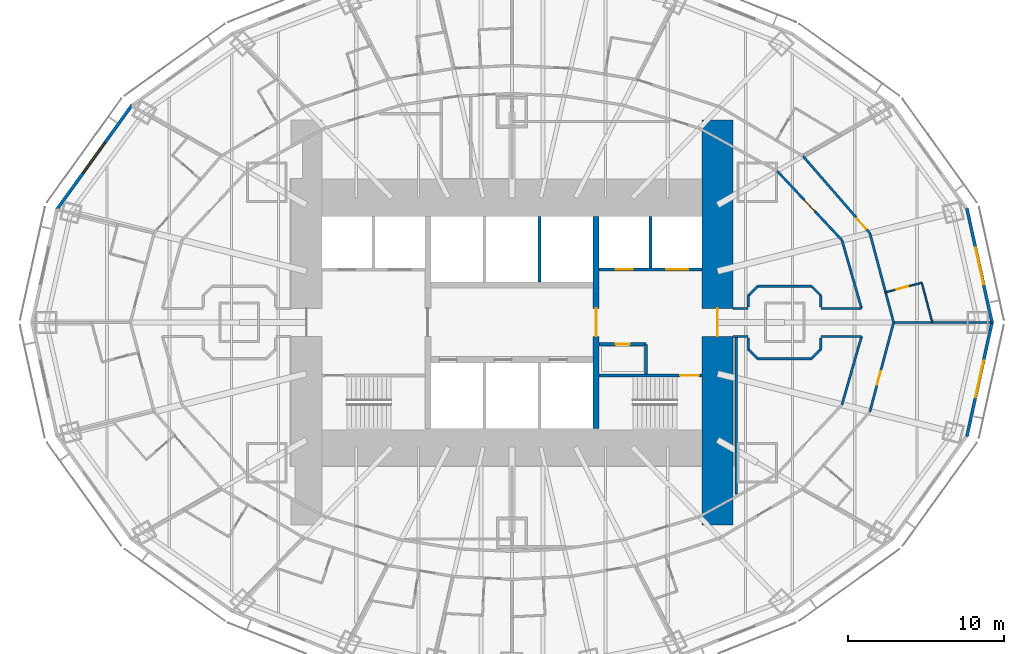
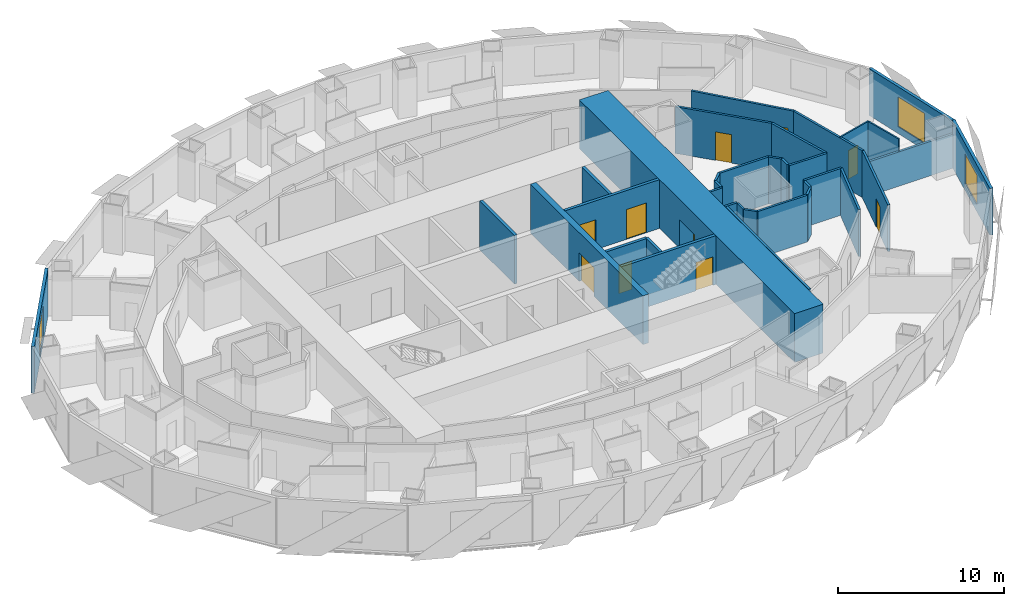
# One storey, part 8 of 15: 35 walls, 10 doors, 3 windows, 13 openings.
"""IFC4 building model written with IfcOpenShell, lengths in metres."""

from ifc_helpers import new_model, si_unit, direction, frame, frame_2d, origin, place, context, subcontext, project, spatial, rectangle, extrude, material, layer, layer_set, type_object, element, fill, save


model = new_model("IFC4")

# Units and contexts
model_context = context("Model", 3, precision=1e-05, world=origin(), true_north=direction((0.0, 1.0)))
body_context = subcontext(model_context, "Body", "Model", "MODEL_VIEW")
ifc_project = project(units=[si_unit("LENGTHUNIT", "METRE"), si_unit("AREAUNIT", "SQUARE_METRE"), si_unit("VOLUMEUNIT", "CUBIC_METRE"), si_unit("PLANEANGLEUNIT", "RADIAN"), si_unit("MASSUNIT", "GRAM", prefix="KILO")], contexts=[model_context])

# Site, building, storey
site_placement = place(None, origin())
site = spatial("IfcSite", under=ifc_project, at=site_placement, CompositionType="ELEMENT")
building_placement = place(site_placement, origin())
building = spatial("IfcBuilding", under=site, at=building_placement, Name="Lantaw Convention Tower", CompositionType="ELEMENT")
storey_placement = place(building_placement, frame((0.0, 0.0, 58.60009765625)))
storey = spatial("IfcBuildingStorey", under=building, at=storey_placement, Name="L12", CompositionType="ELEMENT", Elevation=58.60009765625)

# Wall
ifc_material_1 = material(Name="Gypsum board on steel studs", Category="steel")
ifc_layer_1 = layer(ifc_material_1, 0.14990234375)
ifc_layer_set_1 = layer_set([ifc_layer_1], Name="Back of house wall 150")
wall_type_1 = type_object("IfcWallType", Name="Back of house wall 150", PredefinedType="PARTITIONING", material=ifc_layer_set_1)
wall_1_placement = place(storey_placement, frame((14.39990234375, -11.01708984375, 0.0), z_axis=(0.0, 0.0, 1.0), x_axis=(0.0, 1.0, 0.0)))
element("IfcWall", 1, at=wall_1_placement, inside=storey, type_object=wall_type_1, Name="Back of house wall 150", PredefinedType="PARTITIONING", context=body_context, shape_type="SweptSolid", body=[
    extrude(rectangle(XDim=10.1171875, YDim=0.14990234375, at=frame_2d((5.05859375, 0.0))), origin(), (0.0, 0.0, 1.0), 3.449951171875),
])

# Wall, opening, door
ifc_material_2 = material(Name="Moisture resistant gypsum board on steel studs", Category="steel")
ifc_layer_2 = layer(ifc_material_2, 0.10009765625)
ifc_layer_set_2 = layer_set([ifc_layer_2], Name="Bathroom wall 100")
wall_type_2 = type_object("IfcWallType", Name="Bathroom wall 100", PredefinedType="PARTITIONING", material=ifc_layer_set_2)
wall_2_placement = place(storey_placement, frame((23.98583984375, 1.932861328125, 0.0), z_axis=(0.0, 0.0, 1.0), x_axis=(0.96639514992, 0.257061109879, 0.0)))
wall_2 = element("IfcWall", 2, at=wall_2_placement, inside=storey, type_object=wall_type_2, Name="Bathroom wall 100", PredefinedType="PARTITIONING", context=body_context, shape_type="SweptSolid", body=[
    extrude(rectangle(XDim=2.39990234375, YDim=0.10009765625, at=frame_2d((1.199951171875, 0.0))), origin(), (0.0, 0.0, 1.0), 3.449951171875),
])
opening_1_placement = place(wall_2_placement, frame((0.699951171875, 0.0, 0.0)))
opening_1 = element("IfcOpeningElement", 3, at=opening_1_placement, cuts=wall_2, Name="Opening L12.25", PredefinedType="OPENING", context=body_context, shape_type="SweptSolid", body=[
    extrude(rectangle(XDim=0.800048828125, YDim=2.10009765625, at=frame_2d((0.39990234375, 1.050048828125))), frame((0.0, 0.06005859375, 0.0), z_axis=(0.0, -1.0, 0.0), x_axis=(1.0, 0.0, 0.0)), (0.0, 0.0, 1.0), 0.1201171875),
])
ifc_material_3 = material(Name="Timber", Category="wood")
door_type_1 = type_object("IfcDoorType", Name="Bathroom door 800", OperationType="SINGLE_SWING_LEFT", PredefinedType="DOOR", material=ifc_material_3)
door_1_placement = place(opening_1_placement, origin())
door_1 = element("IfcDoor", 4, at=door_1_placement, inside=storey, type_object=door_type_1, Name="Bathroom door", OperationType="SINGLE_SWING_LEFT", OverallHeight=2.10009765625, OverallWidth=0.800048828125, PredefinedType="DOOR", context=body_context, shape_type="SweptSolid", body=[
    extrude(rectangle(XDim=0.800048828125, YDim=2.10009765625, at=frame_2d((0.39990234375, 1.050048828125))), frame((0.0, 0.02490234375, 0.0), z_axis=(0.0, -1.0, 0.0), x_axis=(1.0, 0.0, 0.0)), (0.0, 0.0, 1.0), 0.050048828125),
])
fill(opening_1, door_1)

# Wall
wall_3_placement = place(storey_placement, frame((26.30517578125, 2.5498046875, 0.0), z_axis=(0.0, 0.0, 1.0), x_axis=(0.257052122515, -0.966397540513, 0.0)))
element("IfcWall", 5, at=wall_3_placement, inside=storey, type_object=wall_type_2, Name="Bathroom wall 100", PredefinedType="PARTITIONING", context=body_context, shape_type="SweptSolid", body=[
    extrude(rectangle(XDim=2.638427734375, YDim=0.10009765625, at=frame_2d((1.3193359375, 0.0))), origin(), (0.0, 0.0, 1.0), 3.449951171875),
])

# Wall, opening, door
ifc_material_4 = material(Name="Concrete C60/75", Category="concrete")
ifc_layer_3 = layer(ifc_material_4, 0.199951171875)
ifc_layer_set_3 = layer_set([ifc_layer_3], Name="Core wall 200")
wall_type_3 = type_object("IfcWallType", Name="Core wall 200", PredefinedType="SHEAR", material=ifc_layer_set_3)
wall_4_placement = place(storey_placement, frame((5.60009765625, -3.39990234375, 0.0), z_axis=(0.0, 0.0, 1.0), x_axis=(1.0, 0.0, 0.0)))
wall_4 = element("IfcWall", 6, at=wall_4_placement, inside=storey, type_object=wall_type_3, Name="Core wall ES", PredefinedType="SHEAR", context=body_context, shape_type="SweptSolid", body=[
    extrude(rectangle(XDim=6.599853515625, YDim=0.199951171875, at=frame_2d((3.2998046875, 0.0))), origin(), (0.0, 0.0, 1.0), 3.599853515625),
])
opening_2_placement = place(wall_4_placement, frame((5.199951171875, 0.0, 0.0)))
opening_2 = element("IfcOpeningElement", 7, at=opening_2_placement, cuts=wall_4, Name="Opening L12.04", PredefinedType="OPENING", context=body_context, shape_type="SweptSolid", body=[
    extrude(rectangle(XDim=1.199951171875, YDim=2.10009765625, at=frame_2d((0.60009765625, 1.050048828125))), frame((0.0, 0.10986328125, 0.0), z_axis=(0.0, -1.0, 0.0), x_axis=(1.0, 0.0, 0.0)), (0.0, 0.0, 1.0), 0.219970703125),
])
ifc_material_5 = material(Name="Steel, fire rated", Category="steel")
door_type_2 = type_object("IfcDoorType", Name="Stair door FD90", OperationType="SINGLE_SWING_RIGHT", PredefinedType="DOOR", material=ifc_material_5)
door_2_placement = place(opening_2_placement, origin())
door_2 = element("IfcDoor", 8, at=door_2_placement, inside=storey, type_object=door_type_2, Name="Exit stair door", OperationType="SINGLE_SWING_RIGHT", OverallHeight=2.10009765625, OverallWidth=1.199951171875, PredefinedType="DOOR", context=body_context, shape_type="SweptSolid", body=[
    extrude(rectangle(XDim=1.199951171875, YDim=2.10009765625, at=frame_2d((0.60009765625, 1.050048828125))), frame((0.0, 0.02490234375, 0.0), z_axis=(0.0, -1.0, 0.0), x_axis=(1.0, 0.0, 0.0)), (0.0, 0.0, 1.0), 0.050048828125),
])
fill(opening_2, door_2)

ifc_layer_4 = layer(ifc_material_4, 2.0)
ifc_layer_set_4 = layer_set([ifc_layer_4], Name="Core wall 2000")
wall_type_4 = type_object("IfcWallType", Name="Core wall 2000", PredefinedType="SHEAR", material=ifc_layer_set_4)
wall_5_placement = place(storey_placement, frame((13.199951171875, -13.0, 0.0), z_axis=(0.0, 0.0, 1.0), x_axis=(0.0, 1.0, 0.0)))
wall_5 = element("IfcWall", 9, at=wall_5_placement, inside=storey, type_object=wall_type_4, Name="Core wall E", PredefinedType="SHEAR", context=body_context, shape_type="SweptSolid", body=[
    extrude(rectangle(XDim=26.0, YDim=2.0, at=frame_2d((13.0, 0.0))), origin(), (0.0, 0.0, 1.0), 3.599853515625),
])
opening_3_placement = place(wall_5_placement, frame((12.10009765625, 0.0, 0.0)))
opening_3 = element("IfcOpeningElement", 10, at=opening_3_placement, cuts=wall_5, Name="Opening L12.06", PredefinedType="OPENING", context=body_context, shape_type="SweptSolid", body=[
    extrude(rectangle(XDim=1.800048828125, YDim=2.10009765625, at=frame_2d((0.89990234375, 1.050048828125))), frame((0.0, 1.010009765625, 0.0), z_axis=(0.0, -1.0, 0.0), x_axis=(1.0, 0.0, 0.0)), (0.0, 0.0, 1.0), 2.02001953125),
])
door_type_3 = type_object("IfcDoorType", Name="Lobby double door FD90", OperationType="DOUBLE_DOOR_DOUBLE_SWING", PredefinedType="DOOR", material=ifc_material_5)
door_3_placement = place(opening_3_placement, origin())
door_3 = element("IfcDoor", 11, at=door_3_placement, inside=storey, type_object=door_type_3, Name="Firefighting lobby door", OperationType="DOUBLE_DOOR_DOUBLE_SWING", OverallHeight=2.10009765625, OverallWidth=1.800048828125, PredefinedType="DOOR", context=body_context, shape_type="SweptSolid", body=[
    extrude(rectangle(XDim=1.800048828125, YDim=2.10009765625, at=frame_2d((0.89990234375, 1.050048828125))), frame((0.0, 0.02490234375, 0.0), z_axis=(0.0, -1.0, 0.0), x_axis=(1.0, 0.0, 0.0)), (0.0, 0.0, 1.0), 0.050048828125),
])
fill(opening_3, door_3)

ifc_layer_5 = layer(ifc_material_4, 0.39990234375)
ifc_layer_set_5 = layer_set([ifc_layer_5], Name="Core wall 400")
wall_type_5 = type_object("IfcWallType", Name="Core wall 400", PredefinedType="SHEAR", material=ifc_layer_set_5)
wall_6_placement = place(storey_placement, frame((5.39990234375, -6.800048828125, 0.0), z_axis=(0.0, 0.0, 1.0), x_axis=(0.0, 1.0, 0.0)))
wall_6 = element("IfcWall", 12, at=wall_6_placement, inside=storey, type_object=wall_type_5, Name="Core wall XE", PredefinedType="SHEAR", context=body_context, shape_type="SweptSolid", body=[
    extrude(rectangle(XDim=13.60009765625, YDim=0.39990234375, at=frame_2d((6.800048828125, 0.0))), origin(), (0.0, 0.0, 1.0), 3.599853515625),
])
opening_4_placement = place(wall_6_placement, frame((5.89990234375, 0.0, 0.0)))
opening_4 = element("IfcOpeningElement", 13, at=opening_4_placement, cuts=wall_6, Name="Opening L12.02", PredefinedType="OPENING", context=body_context, shape_type="SweptSolid", body=[
    extrude(rectangle(XDim=1.800048828125, YDim=2.10009765625, at=frame_2d((0.89990234375, 1.050048828125))), frame((0.0, 0.2099609375, 0.0), z_axis=(0.0, -1.0, 0.0), x_axis=(1.0, 0.0, 0.0)), (0.0, 0.0, 1.0), 0.419921875),
])
door_4_placement = place(opening_4_placement, origin())
door_4 = element("IfcDoor", 14, at=door_4_placement, inside=storey, type_object=door_type_3, Name="Lift lobby door", OperationType="DOUBLE_DOOR_DOUBLE_SWING", OverallHeight=2.10009765625, OverallWidth=1.800048828125, PredefinedType="DOOR", context=body_context, shape_type="SweptSolid", body=[
    extrude(rectangle(XDim=1.800048828125, YDim=2.10009765625, at=frame_2d((0.89990234375, 1.050048828125))), frame((0.0, 0.02490234375, 0.0), z_axis=(0.0, -1.0, 0.0), x_axis=(1.0, 0.0, 0.0)), (0.0, 0.0, 1.0), 0.050048828125),
])
fill(opening_4, door_4)

# Wall
ifc_material_6 = material(Name="Gypsum board on steel studs, fire rated", Category="steel")
ifc_layer_6 = layer(ifc_material_6, 0.14990234375)
ifc_layer_set_6 = layer_set([ifc_layer_6], Name="Corridor wall 150 EI 60")
wall_type_6 = type_object("IfcWallType", Name="Corridor wall 150 EI 60", PredefinedType="PARTITIONING", material=ifc_layer_set_6)
wall_7_placement = place(storey_placement, frame((24.5, 0.0, 0.0), z_axis=(0.0, 0.0, 1.0), x_axis=(-0.257083265334, 0.966389256296, 0.0)))
element("IfcWall", 15, at=wall_7_placement, inside=storey, type_object=wall_type_6, Name="Corridor wall 150", PredefinedType="PARTITIONING", context=body_context, shape_type="SweptSolid", body=[
    extrude(rectangle(XDim=5.927734375, YDim=0.14990234375, at=frame_2d((2.9638671875, 0.0))), origin(), (0.0, 0.0, 1.0), 3.449951171875),
])

# Wall, opening, door
wall_8_placement = place(storey_placement, frame((22.97607421875, 5.728515625, 0.0), z_axis=(0.0, 0.0, 1.0), x_axis=(-0.655599989166, 0.755108372491, 0.0)))
wall_8 = element("IfcWall", 16, at=wall_8_placement, inside=storey, type_object=wall_type_6, Name="Corridor wall 150", PredefinedType="PARTITIONING", context=body_context, shape_type="SweptSolid", body=[
    extrude(rectangle(XDim=6.55078125, YDim=0.14990234375, at=frame_2d((3.275390625, 0.0))), origin(), (0.0, 0.0, 1.0), 3.449951171875),
])
opening_5_placement = place(wall_8_placement, frame((0.355712890625, 0.0, 0.0)))
opening_5 = element("IfcOpeningElement", 17, at=opening_5_placement, cuts=wall_8, Name="Opening L12.26", PredefinedType="OPENING", context=body_context, shape_type="SweptSolid", body=[
    extrude(rectangle(XDim=0.89990234375, YDim=2.10009765625, at=frame_2d((0.449951171875, 1.050048828125))), frame((0.0, 0.0849609375, 0.0), z_axis=(0.0, -1.0, 0.0), x_axis=(1.0, 0.0, 0.0)), (0.0, 0.0, 1.0), 0.169921875),
])
door_type_4 = type_object("IfcDoorType", Name="Guest room entrance door FD30S", OperationType="SINGLE_SWING_LEFT", PredefinedType="DOOR", material=ifc_material_5)
door_5_placement = place(opening_5_placement, origin())
door_5 = element("IfcDoor", 18, at=door_5_placement, inside=storey, type_object=door_type_4, Name="Junior suite entrance door", OperationType="SINGLE_SWING_LEFT", OverallHeight=2.10009765625, OverallWidth=0.89990234375, PredefinedType="DOOR", context=body_context, shape_type="SweptSolid", body=[
    extrude(rectangle(XDim=0.89990234375, YDim=2.10009765625, at=frame_2d((0.449951171875, 1.050048828125))), frame((0.0, 0.02490234375, 0.0), z_axis=(0.0, -1.0, 0.0), x_axis=(1.0, 0.0, 0.0)), (0.0, 0.0, 1.0), 0.050048828125),
])
fill(opening_5, door_5)

wall_9_placement = place(storey_placement, frame((22.97607421875, -5.728515625, 0.0), z_axis=(0.0, 0.0, 1.0), x_axis=(0.257083265334, 0.966389256296, 0.0)))
wall_9 = element("IfcWall", 19, at=wall_9_placement, inside=storey, type_object=wall_type_6, Name="Corridor wall 150", PredefinedType="PARTITIONING", context=body_context, shape_type="SweptSolid", body=[
    extrude(rectangle(XDim=5.927734375, YDim=0.14990234375, at=frame_2d((2.9638671875, 0.0))), origin(), (0.0, 0.0, 1.0), 3.449951171875),
])
opening_6_placement = place(wall_9_placement, frame((1.79443359375, 0.0, 0.0)))
opening_6 = element("IfcOpeningElement", 20, at=opening_6_placement, cuts=wall_9, Name="Opening L12.60", PredefinedType="OPENING", context=body_context, shape_type="SweptSolid", body=[
    extrude(rectangle(XDim=0.89990234375, YDim=2.10009765625, at=frame_2d((0.449951171875, 1.050048828125))), frame((0.0, 0.0849609375, 0.0), z_axis=(0.0, -1.0, 0.0), x_axis=(1.0, 0.0, 0.0)), (0.0, 0.0, 1.0), 0.169921875),
])
door_6_placement = place(opening_6_placement, origin())
door_6 = element("IfcDoor", 21, at=door_6_placement, inside=storey, type_object=door_type_4, Name="Junior suite entrance door", OperationType="SINGLE_SWING_LEFT", OverallHeight=2.10009765625, OverallWidth=0.89990234375, PredefinedType="DOOR", context=body_context, shape_type="SweptSolid", body=[
    extrude(rectangle(XDim=0.89990234375, YDim=2.10009765625, at=frame_2d((0.449951171875, 1.050048828125))), frame((0.0, 0.02490234375, 0.0), z_axis=(0.0, -1.0, 0.0), x_axis=(1.0, 0.0, 0.0)), (0.0, 0.0, 1.0), 0.050048828125),
])
fill(opening_6, door_6)

# Wall
wall_10_placement = place(storey_placement, frame((22.441650390625, 0.89990234375, 0.0), z_axis=(0.0, 0.0, 1.0), x_axis=(-0.27585972825, 0.961197903831, 0.0)))
element("IfcWall", 22, at=wall_10_placement, inside=storey, type_object=wall_type_6, Name="Corridor wall 150", PredefinedType="PARTITIONING", context=body_context, shape_type="SweptSolid", body=[
    extrude(rectangle(XDim=4.558837890625, YDim=0.14990234375, at=frame_2d((2.279296875, 0.0))), origin(), (0.0, 0.0, 1.0), 3.449951171875),
])

# Wall, opening, door
wall_11_placement = place(storey_placement, frame((21.18408203125, 5.28173828125, 0.0), z_axis=(0.0, 0.0, 1.0), x_axis=(-0.68365836236, 0.729802194828, 0.0)))
wall_11 = element("IfcWall", 23, at=wall_11_placement, inside=storey, type_object=wall_type_6, Name="Corridor wall 150", PredefinedType="PARTITIONING", context=body_context, shape_type="SweptSolid", body=[
    extrude(rectangle(XDim=6.08984375, YDim=0.14990234375, at=frame_2d((3.044921875, 0.0))), origin(), (0.0, 0.0, 1.0), 3.449951171875),
])
opening_7_placement = place(wall_11_placement, frame((2.544921875, 0.0, 0.0)))
opening_7 = element("IfcOpeningElement", 24, at=opening_7_placement, cuts=wall_11, Name="Opening L12.16", PredefinedType="OPENING", context=body_context, shape_type="SweptSolid", body=[
    extrude(rectangle(XDim=1.0, YDim=2.10009765625, at=frame_2d((0.5, 1.050048828125))), frame((0.0, 0.0849609375, 0.0), z_axis=(0.0, -1.0, 0.0), x_axis=(1.0, 0.0, 0.0)), (0.0, 0.0, 1.0), 0.169921875),
])
door_type_5 = type_object("IfcDoorType", Name="Service door 1000 FD30", OperationType="SINGLE_SWING_LEFT", PredefinedType="DOOR", material=ifc_material_5)
door_7_placement = place(opening_7_placement, origin())
door_7 = element("IfcDoor", 25, at=door_7_placement, inside=storey, type_object=door_type_5, Name="Linen store door", OperationType="SINGLE_SWING_LEFT", OverallHeight=2.10009765625, OverallWidth=1.0, PredefinedType="DOOR", context=body_context, shape_type="SweptSolid", body=[
    extrude(rectangle(XDim=1.0, YDim=2.10009765625, at=frame_2d((0.5, 1.050048828125))), frame((0.0, 0.02490234375, 0.0), z_axis=(0.0, -1.0, 0.0), x_axis=(1.0, 0.0, 0.0)), (0.0, 0.0, 1.0), 0.050048828125),
])
fill(opening_7, door_7)

# Walls
wall_12_placement = place(storey_placement, frame((21.18408203125, -5.28173828125, 0.0), z_axis=(0.0, 0.0, 1.0), x_axis=(0.27585972825, 0.961197903831, 0.0)))
element("IfcWall", 26, at=wall_12_placement, inside=storey, type_object=wall_type_6, Name="Corridor wall 150", PredefinedType="PARTITIONING", context=body_context, shape_type="SweptSolid", body=[
    extrude(rectangle(XDim=4.558837890625, YDim=0.14990234375, at=frame_2d((2.279296875, 0.0))), origin(), (0.0, 0.0, 1.0), 3.449951171875),
])
wall_13_placement = place(storey_placement, frame((14.199951171875, -0.89990234375, 0.0), z_axis=(0.0, 0.0, 1.0), x_axis=(1.0, 0.0, 0.0)))
element("IfcWall", 27, at=wall_13_placement, inside=storey, type_object=wall_type_6, Name="Corridor wall 150", PredefinedType="PARTITIONING", context=body_context, shape_type="SweptSolid", body=[
    extrude(rectangle(XDim=0.965087890625, YDim=0.14990234375, at=frame_2d((0.482421875, 0.0))), origin(), (0.0, 0.0, 1.0), 3.449951171875),
])
wall_14_placement = place(storey_placement, frame((19.8349609375, -0.89990234375, 0.0), z_axis=(0.0, 0.0, 1.0), x_axis=(1.0, 0.0, 0.0)))
element("IfcWall", 28, at=wall_14_placement, inside=storey, type_object=wall_type_6, Name="Corridor wall 150", PredefinedType="PARTITIONING", context=body_context, shape_type="SweptSolid", body=[
    extrude(rectangle(XDim=2.606689453125, YDim=0.14990234375, at=frame_2d((1.30322265625, 0.0))), origin(), (0.0, 0.0, 1.0), 3.449951171875),
])
wall_15_placement = place(storey_placement, frame((14.199951171875, 0.89990234375, 0.0), z_axis=(0.0, 0.0, 1.0), x_axis=(1.0, 0.0, 0.0)))
element("IfcWall", 29, at=wall_15_placement, inside=storey, type_object=wall_type_6, Name="Corridor wall 150", PredefinedType="PARTITIONING", context=body_context, shape_type="SweptSolid", body=[
    extrude(rectangle(XDim=0.965087890625, YDim=0.14990234375, at=frame_2d((0.482421875, 0.0))), origin(), (0.0, 0.0, 1.0), 3.449951171875),
])
wall_16_placement = place(storey_placement, frame((19.8349609375, 0.89990234375, 0.0), z_axis=(0.0, 0.0, 1.0), x_axis=(1.0, 0.0, 0.0)))
element("IfcWall", 30, at=wall_16_placement, inside=storey, type_object=wall_type_6, Name="Corridor wall 150", PredefinedType="PARTITIONING", context=body_context, shape_type="SweptSolid", body=[
    extrude(rectangle(XDim=2.606689453125, YDim=0.14990234375, at=frame_2d((1.30322265625, 0.0))), origin(), (0.0, 0.0, 1.0), 3.449951171875),
])
wall_17_placement = place(storey_placement, frame((15.175048828125, 1.003173828125, 0.0), z_axis=(0.0, 0.0, 1.0), x_axis=(0.0, 1.0, 0.0)))
element("IfcWall", 31, at=wall_17_placement, inside=storey, type_object=wall_type_6, Name="Corridor wall 150", PredefinedType="PARTITIONING", context=body_context, shape_type="SweptSolid", body=[
    extrude(rectangle(XDim=0.721435546875, YDim=0.14990234375, at=frame_2d((0.36083984375, 0.0))), origin(), (0.0, 0.0, 1.0), 3.449951171875),
])
wall_18_placement = place(storey_placement, frame((15.175048828125, 1.724609375, 0.0), z_axis=(0.0, 0.0, 1.0), x_axis=(0.707106781187, 0.707106781187, 0.0)))
element("IfcWall", 32, at=wall_18_placement, inside=storey, type_object=wall_type_6, Name="Corridor wall 150", PredefinedType="PARTITIONING", context=body_context, shape_type="SweptSolid", body=[
    extrude(rectangle(XDim=0.84912109375, YDim=0.14990234375, at=frame_2d((0.424560546875, 0.0))), origin(), (0.0, 0.0, 1.0), 3.449951171875),
])
wall_19_placement = place(storey_placement, frame((15.775390625, 2.324951171875, 0.0), z_axis=(0.0, 0.0, 1.0), x_axis=(1.0, 0.0, 0.0)))
element("IfcWall", 33, at=wall_19_placement, inside=storey, type_object=wall_type_6, Name="Corridor wall 150", PredefinedType="PARTITIONING", context=body_context, shape_type="SweptSolid", body=[
    extrude(rectangle(XDim=3.44921875, YDim=0.14990234375, at=frame_2d((1.724609375, 0.0))), origin(), (0.0, 0.0, 1.0), 3.449951171875),
])
wall_20_placement = place(storey_placement, frame((19.224609375, 2.324951171875, 0.0), z_axis=(0.0, 0.0, 1.0), x_axis=(0.707106781187, -0.707106781187, 0.0)))
element("IfcWall", 34, at=wall_20_placement, inside=storey, type_object=wall_type_6, Name="Corridor wall 150", PredefinedType="PARTITIONING", context=body_context, shape_type="SweptSolid", body=[
    extrude(rectangle(XDim=0.84912109375, YDim=0.14990234375, at=frame_2d((0.424560546875, 0.0))), origin(), (0.0, 0.0, 1.0), 3.449951171875),
])
for number, where, z_axis, x_axis, name in (
    (35, (19.824951171875, 1.724609375, 0.0), (0.0, 0.0, 1.0), (0.0, -1.0, 0.0), "Corridor wall 150"),
    (36, (15.175048828125, -1.724609375, 0.0), (0.0, 0.0, 1.0), (0.0, 1.0, 0.0), "Corridor wall 150"),
    (37, (19.824951171875, -1.003173828125, 0.0), (0.0, 0.0, 1.0), (0.0, -1.0, 0.0), "Corridor wall 150"),
):
    element("IfcWall", number, at=place(storey_placement, frame(where, z_axis=z_axis, x_axis=x_axis)), inside=storey, type_object=wall_type_6, Name=name, PredefinedType="PARTITIONING", context=body_context, shape_type="SweptSolid", body=[
        extrude(rectangle(XDim=0.721435546875, YDim=0.14990234375, at=frame_2d((0.36083984375, 0.0))), origin(), (0.0, 0.0, 1.0), 3.449951171875),
    ])
wall_21_placement = place(storey_placement, frame((19.824951171875, -1.724609375, 0.0), z_axis=(0.0, 0.0, 1.0), x_axis=(-0.707106781187, -0.707106781187, 0.0)))
element("IfcWall", 38, at=wall_21_placement, inside=storey, type_object=wall_type_6, Name="Corridor wall 150", PredefinedType="PARTITIONING", context=body_context, shape_type="SweptSolid", body=[
    extrude(rectangle(XDim=0.84912109375, YDim=0.14990234375, at=frame_2d((0.424560546875, 0.0))), origin(), (0.0, 0.0, 1.0), 3.449951171875),
])
wall_22_placement = place(storey_placement, frame((19.224609375, -2.324951171875, 0.0), z_axis=(0.0, 0.0, 1.0), x_axis=(-1.0, 0.0, 0.0)))
element("IfcWall", 39, at=wall_22_placement, inside=storey, type_object=wall_type_6, Name="Corridor wall 150", PredefinedType="PARTITIONING", context=body_context, shape_type="SweptSolid", body=[
    extrude(rectangle(XDim=3.44921875, YDim=0.14990234375, at=frame_2d((1.724609375, 0.0))), origin(), (0.0, 0.0, 1.0), 3.449951171875),
])
wall_23_placement = place(storey_placement, frame((15.775390625, -2.324951171875, 0.0), z_axis=(0.0, 0.0, 1.0), x_axis=(-0.707106781187, 0.707106781187, 0.0)))
element("IfcWall", 40, at=wall_23_placement, inside=storey, type_object=wall_type_6, Name="Corridor wall 150", PredefinedType="PARTITIONING", context=body_context, shape_type="SweptSolid", body=[
    extrude(rectangle(XDim=0.84912109375, YDim=0.14990234375, at=frame_2d((0.424560546875, 0.0))), origin(), (0.0, 0.0, 1.0), 3.449951171875),
])

# Wall, opening, window
ifc_material_7 = material(Name="Insulated aluminium panel on steel frame", Category="steel")
ifc_layer_7 = layer(ifc_material_7, 0.199951171875)
ifc_layer_set_7 = layer_set([ifc_layer_7], Name="External wall 200")
wall_type_7 = type_object("IfcWallType", Name="External wall 200", PredefinedType="SOLIDWALL", material=ifc_layer_set_7)
wall_24_placement = place(storey_placement, frame((30.83544921875, -0.06689453125, 0.0), z_axis=(0.0, 0.0, 1.0), x_axis=(-0.215238065514, 0.976561608478, 0.0)))
wall_24 = element("IfcWall", 41, at=wall_24_placement, inside=storey, type_object=wall_type_7, Name="Facade panel wall", PredefinedType="SOLIDWALL", context=body_context, shape_type="SweptSolid", body=[
    extrude(rectangle(XDim=7.562255859375, YDim=0.199951171875, at=frame_2d((3.78125, 0.0))), origin(), (0.0, 0.0, 1.0), 3.449951171875),
])
opening_8_placement = place(wall_24_placement, frame((2.581298828125, 0.0, 0.5)))
opening_8 = element("IfcOpeningElement", 42, at=opening_8_placement, cuts=wall_24, Name="Opening W1", PredefinedType="OPENING", context=body_context, shape_type="SweptSolid", body=[
    extrude(rectangle(XDim=2.39990234375, YDim=2.199951171875, at=frame_2d((1.199951171875, 1.10009765625))), frame((0.0, 0.10986328125, 0.0), z_axis=(0.0, -1.0, 0.0), x_axis=(1.0, 0.0, 0.0)), (0.0, 0.0, 1.0), 0.219970703125),
])
ifc_material_8 = material(Name="Aluminium frame, clear insulating glass", Category="aluminium")
window_type = type_object("IfcWindowType", Name="Guest room window 2400x2200", PartitioningType="SINGLE_PANEL", PredefinedType="WINDOW", material=ifc_material_8)
window_1_placement = place(opening_8_placement, origin())
window_1 = element("IfcWindow", 43, at=window_1_placement, inside=storey, type_object=window_type, Name="Guest room window", OverallHeight=2.199951171875, OverallWidth=2.39990234375, PartitioningType="SINGLE_PANEL", PredefinedType="WINDOW", context=body_context, shape_type="SweptSolid", body=[
    extrude(rectangle(XDim=2.39990234375, YDim=2.199951171875, at=frame_2d((1.199951171875, 1.10009765625))), frame((0.0, 0.030029296875, 0.0), z_axis=(0.0, -1.0, 0.0), x_axis=(1.0, 0.0, 0.0)), (0.0, 0.0, 1.0), 0.06005859375),
])
fill(opening_8, window_1)

wall_25_placement = place(storey_placement, frame((-24.400390625, 13.95654296875, 0.0), z_axis=(0.0, 0.0, 1.0), x_axis=(-0.583937613703, -0.811798536155, 0.0)))
wall_25 = element("IfcWall", 44, at=wall_25_placement, inside=storey, type_object=wall_type_7, Name="Facade panel wall", PredefinedType="SOLIDWALL", context=body_context, shape_type="SweptSolid", body=[
    extrude(rectangle(XDim=8.322998046875, YDim=0.199951171875, at=frame_2d((4.16162109375, 0.0))), origin(), (0.0, 0.0, 1.0), 3.449951171875),
])
opening_9_placement = place(wall_25_placement, frame((2.96142578125, 0.0, 0.5)))
opening_9 = element("IfcOpeningElement", 45, at=opening_9_placement, cuts=wall_25, Name="Opening W1", PredefinedType="OPENING", context=body_context, shape_type="SweptSolid", body=[
    extrude(rectangle(XDim=2.39990234375, YDim=2.199951171875, at=frame_2d((1.199951171875, 1.10009765625))), frame((0.0, 0.10986328125, 0.0), z_axis=(0.0, -1.0, 0.0), x_axis=(1.0, 0.0, 0.0)), (0.0, 0.0, 1.0), 0.219970703125),
])
window_2_placement = place(opening_9_placement, origin())
window_2 = element("IfcWindow", 46, at=window_2_placement, inside=storey, type_object=window_type, Name="Guest room window", OverallHeight=2.199951171875, OverallWidth=2.39990234375, PartitioningType="SINGLE_PANEL", PredefinedType="WINDOW", context=body_context, shape_type="SweptSolid", body=[
    extrude(rectangle(XDim=2.39990234375, YDim=2.199951171875, at=frame_2d((1.199951171875, 1.10009765625))), frame((0.0, 0.030029296875, 0.0), z_axis=(0.0, -1.0, 0.0), x_axis=(1.0, 0.0, 0.0)), (0.0, 0.0, 1.0), 0.06005859375),
])
fill(opening_9, window_2)

wall_26_placement = place(storey_placement, frame((29.207763671875, -7.318115234375, 0.0), z_axis=(0.0, 0.0, 1.0), x_axis=(0.215238065514, 0.976561608478, 0.0)))
wall_26 = element("IfcWall", 47, at=wall_26_placement, inside=storey, type_object=wall_type_7, Name="Facade panel wall", PredefinedType="SOLIDWALL", context=body_context, shape_type="SweptSolid", body=[
    extrude(rectangle(XDim=7.562255859375, YDim=0.199951171875, at=frame_2d((3.78125, 0.0))), origin(), (0.0, 0.0, 1.0), 3.449951171875),
])
opening_10_placement = place(wall_26_placement, frame((2.581298828125, 0.0, 0.5)))
opening_10 = element("IfcOpeningElement", 48, at=opening_10_placement, cuts=wall_26, Name="Opening W1", PredefinedType="OPENING", context=body_context, shape_type="SweptSolid", body=[
    extrude(rectangle(XDim=2.39990234375, YDim=2.199951171875, at=frame_2d((1.199951171875, 1.10009765625))), frame((0.0, 0.10986328125, 0.0), z_axis=(0.0, -1.0, 0.0), x_axis=(1.0, 0.0, 0.0)), (0.0, 0.0, 1.0), 0.219970703125),
])
window_3_placement = place(opening_10_placement, origin())
window_3 = element("IfcWindow", 49, at=window_3_placement, inside=storey, type_object=window_type, Name="Guest room window", OverallHeight=2.199951171875, OverallWidth=2.39990234375, PartitioningType="SINGLE_PANEL", PredefinedType="WINDOW", context=body_context, shape_type="SweptSolid", body=[
    extrude(rectangle(XDim=2.39990234375, YDim=2.199951171875, at=frame_2d((1.199951171875, 1.10009765625))), frame((0.0, 0.030029296875, 0.0), z_axis=(0.0, -1.0, 0.0), x_axis=(1.0, 0.0, 0.0)), (0.0, 0.0, 1.0), 0.06005859375),
])
fill(opening_10, window_3)

# Wall
ifc_material_9 = material(Name="Gypsum board on steel studs, acoustic", Category="steel")
ifc_layer_8 = layer(ifc_material_9, 0.14990234375)
ifc_layer_set_8 = layer_set([ifc_layer_8], Name="Guest room party wall 150")
wall_type_8 = type_object("IfcWallType", Name="Guest room party wall 150", PredefinedType="PARTITIONING", material=ifc_layer_set_8)
wall_27_placement = place(storey_placement, frame((30.82080078125, 0.0, 0.0), z_axis=(0.0, 0.0, 1.0), x_axis=(-1.0, 0.0, 0.0)))
element("IfcWall", 50, at=wall_27_placement, inside=storey, type_object=wall_type_8, Name="Guest room party wall 150", PredefinedType="PARTITIONING", context=body_context, shape_type="SweptSolid", body=[
    extrude(rectangle(XDim=6.32080078125, YDim=0.14990234375, at=frame_2d((3.160400390625, 0.0))), origin(), (0.0, 0.0, 1.0), 2.52783203125),
])

# Wall, opening, door
ifc_material_10 = material(Name="Concrete blockwork, fire rated", Category="masonry")
ifc_layer_9 = layer(ifc_material_10, 0.199951171875)
ifc_layer_set_9 = layer_set([ifc_layer_9], Name="Plant room wall 200 EI 120")
wall_type_9 = type_object("IfcWallType", Name="Plant room wall 200 EI 120", PredefinedType="SOLIDWALL", material=ifc_layer_set_9)
wall_28_placement = place(storey_placement, frame((5.60009765625, -1.39990234375, 0.0), z_axis=(0.0, 0.0, 1.0), x_axis=(1.0, 0.0, 0.0)))
wall_28 = element("IfcWall", 51, at=wall_28_placement, inside=storey, type_object=wall_type_9, Name="Plant room wall 200", PredefinedType="SOLIDWALL", context=body_context, shape_type="SweptSolid", body=[
    extrude(rectangle(XDim=3.0, YDim=0.199951171875, at=frame_2d((1.5, 0.0))), origin(), (0.0, 0.0, 1.0), 3.449951171875),
])
opening_11_placement = place(wall_28_placement, frame((1.050048828125, 0.0, 0.0)))
opening_11 = element("IfcOpeningElement", 52, at=opening_11_placement, cuts=wall_28, Name="Opening L12.01", PredefinedType="OPENING", context=body_context, shape_type="SweptSolid", body=[
    extrude(rectangle(XDim=0.89990234375, YDim=2.10009765625, at=frame_2d((0.449951171875, 1.050048828125))), frame((0.0, 0.10986328125, 0.0), z_axis=(0.0, -1.0, 0.0), x_axis=(1.0, 0.0, 0.0)), (0.0, 0.0, 1.0), 0.219970703125),
])
door_type_6 = type_object("IfcDoorType", Name="Service door 900 FD60", OperationType="SINGLE_SWING_LEFT", PredefinedType="DOOR", material=ifc_material_5)
door_8_placement = place(opening_11_placement, origin())
door_8 = element("IfcDoor", 53, at=door_8_placement, inside=storey, type_object=door_type_6, Name="Staff WC door", OperationType="SINGLE_SWING_LEFT", OverallHeight=2.10009765625, OverallWidth=0.89990234375, PredefinedType="DOOR", context=body_context, shape_type="SweptSolid", body=[
    extrude(rectangle(XDim=0.89990234375, YDim=2.10009765625, at=frame_2d((0.449951171875, 1.050048828125))), frame((0.0, 0.02490234375, 0.0), z_axis=(0.0, -1.0, 0.0), x_axis=(1.0, 0.0, 0.0)), (0.0, 0.0, 1.0), 0.050048828125),
])
fill(opening_11, door_8)

# Walls
wall_29_placement = place(storey_placement, frame((8.60009765625, -1.39990234375, 0.0), z_axis=(0.0, 0.0, 1.0), x_axis=(0.0, -1.0, 0.0)))
element("IfcWall", 54, at=wall_29_placement, inside=storey, type_object=wall_type_9, Name="Plant room wall 200", PredefinedType="SOLIDWALL", context=body_context, shape_type="SweptSolid", body=[
    extrude(rectangle(XDim=1.900146484375, YDim=0.199951171875, at=frame_2d((0.9501953125, 0.0))), origin(), (0.0, 0.0, 1.0), 3.449951171875),
])
ifc_layer_10 = layer(ifc_material_10, 0.199951171875)
ifc_layer_set_10 = layer_set([ifc_layer_10], Name="Shaft wall 200")
wall_type_10 = type_object("IfcWallType", Name="Shaft wall 200", PredefinedType="SOLIDWALL", material=ifc_layer_set_10)
wall_30_placement = place(storey_placement, frame((1.7666015625, 2.60009765625, 0.0), z_axis=(0.0, 0.0, 1.0), x_axis=(0.0, 1.0, 0.0)))
element("IfcWall", 55, at=wall_30_placement, inside=storey, type_object=wall_type_10, Name="Shaft wall DN2", PredefinedType="SOLIDWALL", context=body_context, shape_type="SweptSolid", body=[
    extrude(rectangle(XDim=4.199951171875, YDim=0.199951171875, at=frame_2d((2.10009765625, 0.0))), origin(), (0.0, 0.0, 1.0), 3.599853515625),
])

# Wall, openings, doors
wall_31_placement = place(storey_placement, frame((12.199951171875, 3.39990234375, 0.0), z_axis=(0.0, 0.0, 1.0), x_axis=(-1.0, 0.0, 0.0)))
wall_31 = element("IfcWall", 56, at=wall_31_placement, inside=storey, type_object=wall_type_10, Name="Shaft wall EN", PredefinedType="SOLIDWALL", context=body_context, shape_type="SweptSolid", body=[
    extrude(rectangle(XDim=6.599853515625, YDim=0.199951171875, at=frame_2d((3.2998046875, 0.0))), origin(), (0.0, 0.0, 1.0), 3.599853515625),
])
opening_12_placement = place(wall_31_placement, frame((4.449951171875, 0.0, 0.0)))
opening_12 = element("IfcOpeningElement", 57, at=opening_12_placement, cuts=wall_31, Name="Opening L12.13", PredefinedType="OPENING", context=body_context, shape_type="SweptSolid", body=[
    extrude(rectangle(XDim=1.10009765625, YDim=2.199951171875, at=frame_2d((0.550048828125, 1.10009765625))), frame((0.0, 0.10986328125, 0.0), z_axis=(0.0, -1.0, 0.0), x_axis=(1.0, 0.0, 0.0)), (0.0, 0.0, 1.0), 0.219970703125),
])
opening_13_placement = place(wall_31_placement, frame((0.89990234375, 0.0, 0.0)))
opening_13 = element("IfcOpeningElement", 58, at=opening_13_placement, cuts=wall_31, Name="Opening L12.14", PredefinedType="OPENING", context=body_context, shape_type="SweptSolid", body=[
    extrude(rectangle(XDim=1.39990234375, YDim=2.199951171875, at=frame_2d((0.699951171875, 1.10009765625))), frame((0.0, 0.10986328125, 0.0), z_axis=(0.0, -1.0, 0.0), x_axis=(1.0, 0.0, 0.0)), (0.0, 0.0, 1.0), 0.219970703125),
])
ifc_material_11 = material(Name="Stainless steel", Category="steel")
door_type_7 = type_object("IfcDoorType", Name="Lift landing door 1100", OperationType="DOUBLE_DOOR_SLIDING", PredefinedType="DOOR", material=ifc_material_11)
door_9_placement = place(opening_12_placement, origin())
door_9 = element("IfcDoor", 59, at=door_9_placement, inside=storey, type_object=door_type_7, Name="Lift landing door FF2", OperationType="DOUBLE_DOOR_SLIDING", OverallHeight=2.199951171875, OverallWidth=1.10009765625, PredefinedType="DOOR", context=body_context, shape_type="SweptSolid", body=[
    extrude(rectangle(XDim=1.10009765625, YDim=2.199951171875, at=frame_2d((0.550048828125, 1.10009765625))), frame((0.0, 0.02490234375, 0.0), z_axis=(0.0, -1.0, 0.0), x_axis=(1.0, 0.0, 0.0)), (0.0, 0.0, 1.0), 0.050048828125),
])
fill(opening_12, door_9)
door_type_8 = type_object("IfcDoorType", Name="Lift landing door 1400", OperationType="DOUBLE_DOOR_SLIDING", PredefinedType="DOOR", material=ifc_material_11)
door_10_placement = place(opening_13_placement, origin())
door_10 = element("IfcDoor", 60, at=door_10_placement, inside=storey, type_object=door_type_8, Name="Lift landing door SV2", OperationType="DOUBLE_DOOR_SLIDING", OverallHeight=2.199951171875, OverallWidth=1.39990234375, PredefinedType="DOOR", context=body_context, shape_type="SweptSolid", body=[
    extrude(rectangle(XDim=1.39990234375, YDim=2.199951171875, at=frame_2d((0.699951171875, 1.10009765625))), frame((0.0, 0.02490234375, 0.0), z_axis=(0.0, -1.0, 0.0), x_axis=(1.0, 0.0, 0.0)), (0.0, 0.0, 1.0), 0.050048828125),
])
fill(opening_13, door_10)

# Wall
wall_32_placement = place(storey_placement, frame((8.89990234375, 3.5, 0.0), z_axis=(0.0, 0.0, 1.0), x_axis=(0.0, 1.0, 0.0)))
element("IfcWall", 61, at=wall_32_placement, inside=storey, type_object=wall_type_10, Name="Shaft wall ED", PredefinedType="SOLIDWALL", context=body_context, shape_type="SweptSolid", body=[
    extrude(rectangle(XDim=3.300048828125, YDim=0.199951171875, at=frame_2d((1.64990234375, 0.0))), origin(), (0.0, 0.0, 1.0), 3.599853515625),
])

save(model, "model.ifc")
